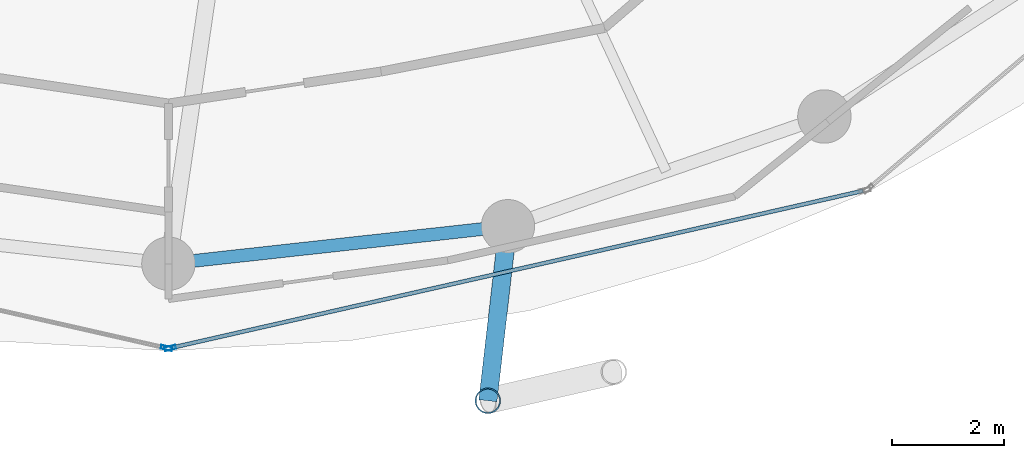
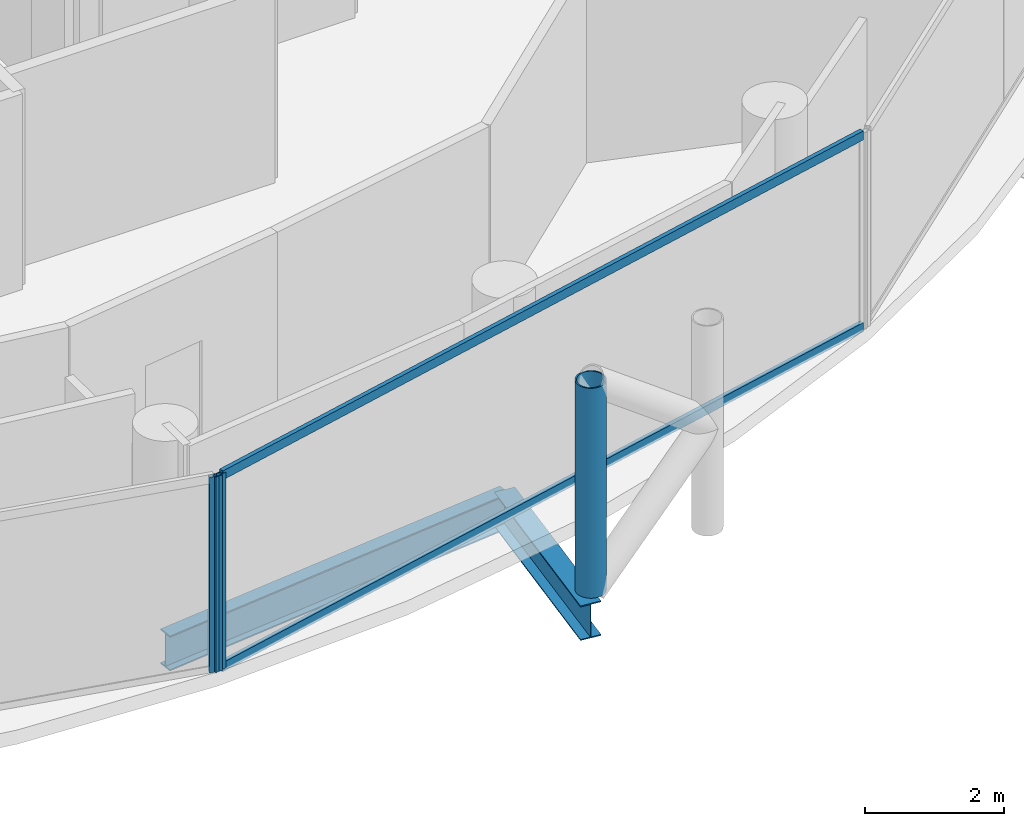
# One storey, part 4 of 26: 5 members, 2 beams, 2 elements without a shape of their own.
"""IFC4 building model written with IfcOpenShell, lengths in metres."""

from ifc_helpers import new_model, si_unit, direction, frame, origin, origin_2d, place, context, subcontext, project, spatial, hollow_rectangle, hollow_circle, i_section, extrude, material, layer, layer_set, material_profile, profile_set, type_object, element, aggregate, save


model = new_model("IFC4")

# Units and contexts
model_context = context("Model", 3, precision=1e-05, world=origin(), true_north=direction((0.0, 1.0)))
body_context = subcontext(model_context, "Body", "Model", "MODEL_VIEW")
ifc_project = project(units=[si_unit("LENGTHUNIT", "METRE"), si_unit("AREAUNIT", "SQUARE_METRE"), si_unit("VOLUMEUNIT", "CUBIC_METRE"), si_unit("PLANEANGLEUNIT", "RADIAN"), si_unit("MASSUNIT", "GRAM", prefix="KILO")], contexts=[model_context])

# Site, building, storey
site_placement = place(None, origin())
site = spatial("IfcSite", under=ifc_project, at=site_placement, CompositionType="ELEMENT")
building_placement = place(site_placement, origin())
building = spatial("IfcBuilding", under=site, at=building_placement, Name="Nuhasar Tower", CompositionType="ELEMENT")
storey_placement = place(building_placement, frame((0.0, 0.0, 184.85009765625)))
storey = spatial("IfcBuildingStorey", under=building, at=storey_placement, Name="L45", CompositionType="ELEMENT", Elevation=184.85009765625)

# Beams
ifc_material_1 = material(Name="Steel S355", Category="steel")
ifc_material_profile_1 = material_profile(ifc_material_1, i_section(OverallWidth=0.22998046875, OverallDepth=0.616943359375, WebThickness=0.01318359375, FlangeThickness=0.022216796875, at=origin_2d()), Name="W24X94")
ifc_profile_set_1 = profile_set([ifc_material_profile_1], Name="Steel S355")
beam_type_1 = type_object("IfcBeamType", Name="BM-RING-W24X94", PredefinedType="SPANDREL", material=ifc_profile_set_1)
beam_1_placement = place(storey_placement, frame((39.0, 7.25, -0.55908203125), z_axis=(0.993981289157, 0.109549974015, 0.0), x_axis=(-0.109549974015, 0.993981289157, 0.0)))
element("IfcBeam", 1, at=beam_1_placement, inside=storey, type_object=beam_type_1, Name="L45 Perimeter Ring Spandrel 19", PredefinedType="SPANDREL", context=body_context, shape_type="SweptSolid", body=[
    extrude(i_section(OverallWidth=0.22998046875, OverallDepth=0.616943359375, WebThickness=0.01318359375, FlangeThickness=0.022216796875, at=origin_2d()), origin(), (0.0, 0.0, 1.0), 6.07958984375),
])
ifc_material_profile_2 = material_profile(ifc_material_1, i_section(OverallWidth=0.323974609375, OverallDepth=0.611083984375, WebThickness=0.0126953125, FlangeThickness=0.01904296875, at=origin_2d()), Name="W24X104")
ifc_profile_set_2 = profile_set([ifc_material_profile_2], Name="Steel S355")
beam_type_2 = type_object("IfcBeamType", Name="BM-TIE-W24X104", PredefinedType="BEAM", material=ifc_profile_set_2)
beam_2_placement = place(storey_placement, frame((45.04296875, 7.916015625, -0.55615234375), z_axis=(-0.114167639647, -0.993461499031, 0.0), x_axis=(0.993461499031, -0.114167639647, 0.0)))
element("IfcBeam", 2, at=beam_2_placement, inside=storey, type_object=beam_type_2, Name="L45 Exoskeleton Node Tie Beam 10", PredefinedType="BEAM", context=body_context, shape_type="SweptSolid", body=[
    extrude(i_section(OverallWidth=0.323974609375, OverallDepth=0.611083984375, WebThickness=0.0126953125, FlangeThickness=0.01904296875, at=origin_2d()), origin(), (0.0, 0.0, 1.0), 3.12646484375),
])

# Curtain wall, member
ifc_material_2 = material(Name="Aluminium 6063-T6", Category="aluminium")
ifc_layer = layer(ifc_material_2, 0.199951171875)
ifc_layer_set = layer_set([ifc_layer], Name="Aluminium 6063-T6")
curtain_wall_type = type_object("IfcCurtainWallType", Name="CW-Z2-HTL", PredefinedType="NOTDEFINED", material=ifc_layer_set)
curtain_wall_1_placement = place(storey_placement, origin())
curtain_wall_1 = element("IfcCurtainWall", 3, at=curtain_wall_1_placement, inside=storey, type_object=curtain_wall_type, Name="L45 Unitised Curtain Wall 09", PredefinedType="NOTDEFINED")
ifc_material_profile_3 = material_profile(ifc_material_2, hollow_rectangle(XDim=0.070068359375, YDim=0.199951171875, WallThickness=0.0048828125, at=origin_2d()), Name="CWM-3")
ifc_profile_set_3 = profile_set([ifc_material_profile_3], Name="Aluminium 6063-T6")
member_type_1 = type_object("IfcMemberType", Name="CW-MUL-S3", PredefinedType="MULLION", material=ifc_profile_set_3)
member_1_placement = place(storey_placement, frame((38.9658203125, 5.747802734375, 0.0), z_axis=(0.0, 0.0, 1.0), x_axis=(0.22139729566, 0.975183694221, 0.0)))
member_1 = element("IfcMember", 4, at=member_1_placement, type_object=member_type_1, Name="CW-Z2 mullion 2", PredefinedType="MULLION", context=body_context, shape_type="SweptSolid", body=[
    extrude(hollow_rectangle(XDim=0.070068359375, YDim=0.199951171875, WallThickness=0.0048828125, at=origin_2d()), origin(), (0.0, 0.0, 1.0), 3.449951171875),
])
aggregate(curtain_wall_1, [member_1])

# Curtain wall, members
curtain_wall_2_placement = place(storey_placement, origin())
curtain_wall_2 = element("IfcCurtainWall", 5, at=curtain_wall_2_placement, inside=storey, type_object=curtain_wall_type, Name="L45 Unitised Curtain Wall 10", PredefinedType="NOTDEFINED")
member_2_placement = place(storey_placement, frame((39.0341796875, 5.747802734375, 0.0), z_axis=(0.0, 0.0, 1.0), x_axis=(-0.22139729566, 0.975183694221, 0.0)))
member_2 = element("IfcMember", 6, at=member_2_placement, type_object=member_type_1, Name="CW-Z2 mullion 1", PredefinedType="MULLION", context=body_context, shape_type="SweptSolid", body=[
    extrude(hollow_rectangle(XDim=0.070068359375, YDim=0.199951171875, WallThickness=0.0048828125, at=origin_2d()), origin(), (0.0, 0.0, 1.0), 3.449951171875),
])
ifc_material_profile_4 = material_profile(ifc_material_2, hollow_rectangle(XDim=0.070068359375, YDim=0.159912109375, WallThickness=0.00439453125, at=origin_2d()), Name="CWT-3")
ifc_profile_set_4 = profile_set([ifc_material_profile_4], Name="Aluminium 6063-T6")
member_type_2 = type_object("IfcMemberType", Name="CW-TRN-S3", PredefinedType="USERDEFINED", material=ifc_profile_set_4)
member_3_placement = place(storey_placement, frame((39.068359375, 5.755615234375, 0.034912109375), z_axis=(0.975187615691, 0.221380022142, 0.0), x_axis=(-0.221380022142, 0.975187615691, 0.0)))
member_3 = element("IfcMember", 7, at=member_3_placement, type_object=member_type_2, Name="CW-Z2 transom 1.1", ObjectType="TRANSOM", PredefinedType="USERDEFINED", context=body_context, shape_type="SweptSolid", body=[
    extrude(hollow_rectangle(XDim=0.070068359375, YDim=0.159912109375, WallThickness=0.00439453125, at=origin_2d()), origin(), (0.0, 0.0, 1.0), 12.606201171875),
])
member_4_placement = place(storey_placement, frame((39.068359375, 5.755615234375, 3.414794921875), z_axis=(0.975187615691, 0.221380022142, 0.0), x_axis=(-0.221380022142, 0.975187615691, 0.0)))
member_4 = element("IfcMember", 8, at=member_4_placement, type_object=member_type_2, Name="CW-Z2 transom 1.2", ObjectType="TRANSOM", PredefinedType="USERDEFINED", context=body_context, shape_type="SweptSolid", body=[
    extrude(hollow_rectangle(XDim=0.070068359375, YDim=0.159912109375, WallThickness=0.00439453125, at=origin_2d()), origin(), (0.0, 0.0, 1.0), 12.606201171875),
])
aggregate(curtain_wall_2, [member_2, member_3, member_4])

# Member
ifc_material_3 = material(Name="Steel S460", Category="steel")
ifc_material_profile_5 = material_profile(ifc_material_3, hollow_circle(Radius=0.228515625, WallThickness=0.022216796875, at=origin_2d()), Name="HSS457X22.2")
ifc_profile_set_5 = profile_set([ifc_material_profile_5], Name="Steel S460")
member_type_3 = type_object("IfcMemberType", Name="EXO-BRONZE-457", PredefinedType="BRACE", material=ifc_profile_set_5)
member_5_placement = place(storey_placement, frame((44.68603515625, 4.81005859375, 0.0), z_axis=(0.0, 0.0, 1.0), x_axis=(1.0, 0.0, 0.0)))
element("IfcMember", 9, at=member_5_placement, inside=storey, type_object=member_type_3, Name="L45 Exoskeleton Chord Column EC-10A", PredefinedType="BRACE", context=body_context, shape_type="SweptSolid", body=[
    extrude(hollow_circle(Radius=0.228515625, WallThickness=0.022216796875, at=origin_2d()), origin(), (0.0, 0.0, 1.0), 3.699951171875),
])

save(model, "model.ifc")
